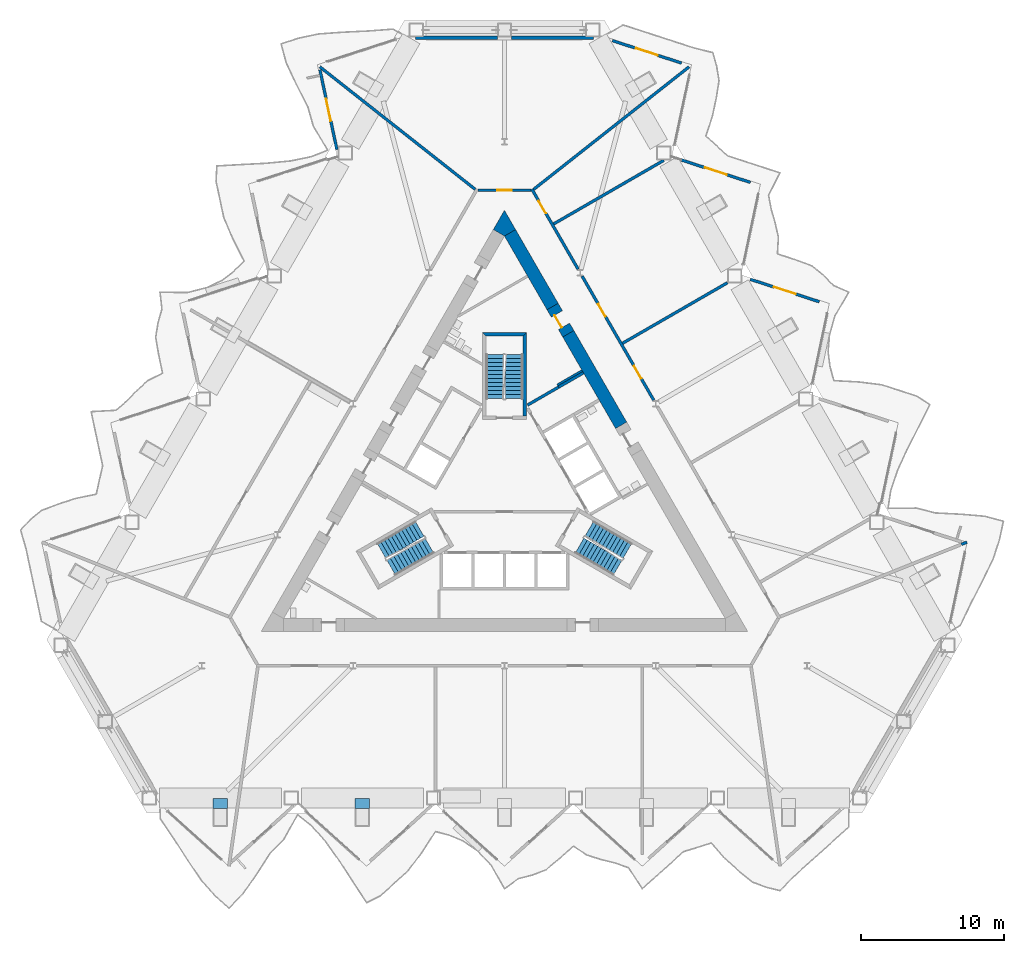
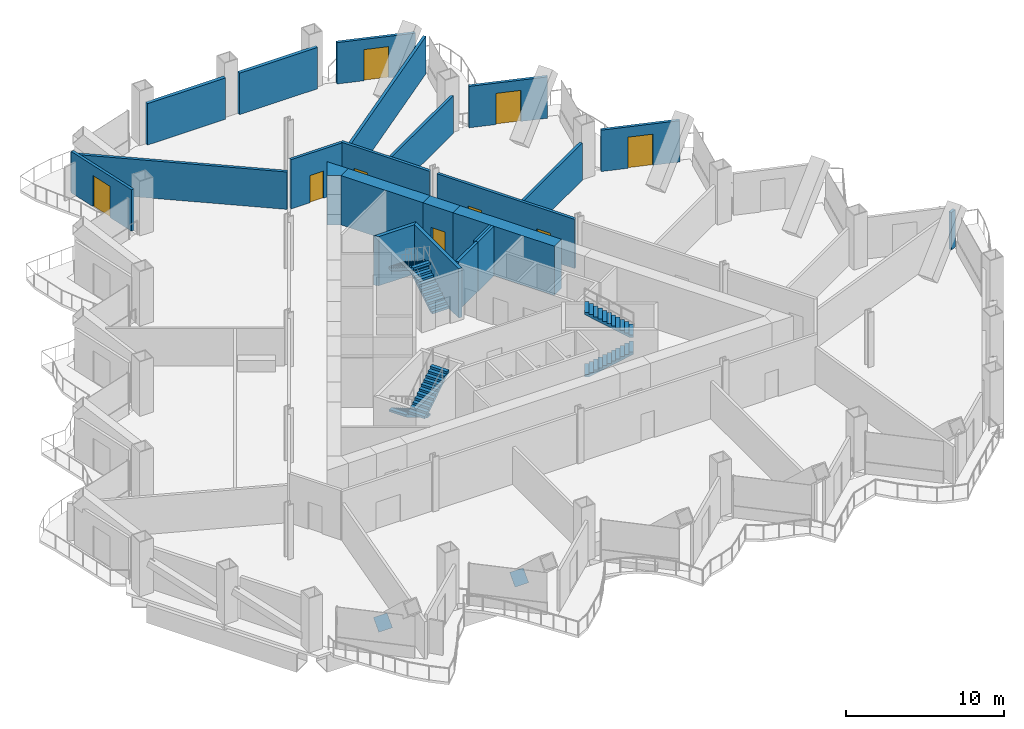
# One storey, part 12 of 22: 23 walls, 9 doors, 6 stair flights, 2 discrete accessories, 9 openings, 3 elements without a shape of their own.
"""IFC4 building model written with IfcOpenShell, lengths in metres."""

from ifc_helpers import new_model, si_unit, direction, frame, frame_2d, origin, place, context, subcontext, project, spatial, polyline, rectangle, outline, extrude, material, layer, layer_set, type_object, element, fill, aggregate, save


model = new_model("IFC4")

# Units and contexts
model_context = context("Model", 3, precision=1e-05, world=origin(), true_north=direction((0.0, 1.0)))
body_context = subcontext(model_context, "Body", "Model", "MODEL_VIEW")
ifc_project = project(units=[si_unit("LENGTHUNIT", "METRE"), si_unit("AREAUNIT", "SQUARE_METRE"), si_unit("VOLUMEUNIT", "CUBIC_METRE"), si_unit("PLANEANGLEUNIT", "RADIAN"), si_unit("MASSUNIT", "GRAM", prefix="KILO")], contexts=[model_context])

# Site, building, storey
site_placement = place(None, origin())
site = spatial("IfcSite", under=ifc_project, at=site_placement, CompositionType="ELEMENT")
building_placement = place(site_placement, origin())
building = spatial("IfcBuilding", under=site, at=building_placement, Name="Cormorant Prow Tower", CompositionType="ELEMENT")
storey_placement = place(building_placement, frame((0.0, 0.0, 30.0)))
storey = spatial("IfcBuildingStorey", under=building, at=storey_placement, Name="L05", CompositionType="ELEMENT", Elevation=30.0)

# Walls
ifc_material_1 = material(Name="Gypsum board partition")
ifc_layer_1 = layer(ifc_material_1, 0.14990234375)
ifc_layer_set_1 = layer_set([ifc_layer_1], Name="Gypsum board partition")
wall_type_1 = type_object("IfcWallType", Name="Core partition 150", PredefinedType="PARTITIONING", material=ifc_layer_set_1)
wall_1_placement = place(storey_placement, frame((3.693359375, 7.4150390625, 0.0), z_axis=(0.0, 0.0, 1.0), x_axis=(0.866035824272, 0.499981950752, 0.0)))
element("IfcWall", 1, at=wall_1_placement, inside=storey, type_object=wall_type_1, Name="Service room partition", PredefinedType="PARTITIONING", context=body_context, shape_type="SweptSolid", body=[
    extrude(rectangle(XDim=2.0087890625, YDim=0.14990234375, at=frame_2d((1.00439453125, 0.0))), origin(), (0.0, 0.0, 1.0), 3.800048828125),
])
ifc_material_2 = material(Name="Concrete 8000 psi", Category="concrete")
ifc_layer_2 = layer(ifc_material_2, 0.89990234375)
ifc_layer_set_2 = layer_set([ifc_layer_2], Name="Concrete 8000 psi")
wall_type_2 = type_object("IfcWallType", Name="Core shear wall 900", PredefinedType="SHEAR", material=ifc_layer_set_2)
wall_2_placement = place(storey_placement, frame((8.160400390625, 4.595947265625, 0.0), z_axis=(0.0, 0.0, 1.0), x_axis=(-0.500012259336, 0.866018325738, 0.0)))
element("IfcWall", 2, at=wall_2_placement, inside=storey, type_object=wall_type_2, Name="Core wall", PredefinedType="SHEAR", context=body_context, shape_type="SweptSolid", body=[
    extrude(rectangle(XDim=7.389404296875, YDim=0.89990234375, at=frame_2d((3.69482421875, 0.0))), origin(), (0.0, 0.0, 1.0), 3.800048828125),
])
wall_3_placement = place(storey_placement, frame((3.365478515625, 12.900390625, 0.0), z_axis=(0.0, 0.0, 1.0), x_axis=(-0.499981657175, 0.86603599376, 0.0)))
element("IfcWall", 3, at=wall_3_placement, inside=storey, type_object=wall_type_2, Name="Core wall", PredefinedType="SHEAR", context=body_context, shape_type="SweptSolid", body=[
    extrude(rectangle(XDim=5.951904296875, YDim=0.89990234375, at=frame_2d((2.97607421875, 0.0))), origin(), (0.0, 0.0, 1.0), 3.800048828125),
])
wall_4_placement = place(storey_placement, origin())
element("IfcWall", 4, at=wall_4_placement, inside=storey, type_object=wall_type_2, Name="Core wall corner", PredefinedType="SHEAR", context=body_context, shape_type="SweptSolid", body=[
    extrude(outline(polyline([(-0.779296875, 18.27978515625), (0.0, 19.6298828125), (0.779296875, 18.27978515625), (0.0, 17.829833984375), (-0.779296875, 18.27978515625)])), origin(), (0.0, 0.0, 1.0), 3.800048828125),
])

# Wall, opening, door
wall_5_placement = place(storey_placement, frame((4.465576171875, 10.995361328125, 0.0), z_axis=(0.0, 0.0, 1.0), x_axis=(-0.500077893725, 0.86598042715, 0.0)))
wall_5 = element("IfcWall", 5, at=wall_5_placement, inside=storey, type_object=wall_type_2, Name="Core wall door panel", PredefinedType="SHEAR", context=body_context, shape_type="SweptSolid", body=[
    extrude(rectangle(XDim=2.199951171875, YDim=0.89990234375, at=frame_2d((1.10009765625, 0.0))), origin(), (0.0, 0.0, 1.0), 3.800048828125),
])
opening_1_placement = place(wall_5_placement, frame((0.60009765625, 0.0, 0.0)))
opening_1 = element("IfcOpeningElement", 6, at=opening_1_placement, cuts=wall_5, Name="Opening L05-C20", PredefinedType="OPENING", context=body_context, shape_type="SweptSolid", body=[
    extrude(rectangle(XDim=1.0, YDim=2.10009765625, at=frame_2d((0.5, 1.050048828125))), frame((0.0, 0.4599609375, 0.0), z_axis=(0.0, -1.0, 0.0), x_axis=(1.0, 0.0, 0.0)), (0.0, 0.0, 1.0), 0.919921875),
])
ifc_material_3 = material(Name="Painted steel", Category="steel")
door_type_1 = type_object("IfcDoorType", Name="Service door 1000x2100", OperationType="NOTDEFINED", PredefinedType="DOOR", material=ifc_material_3)
door_1_placement = place(opening_1_placement, origin())
door_1 = element("IfcDoor", 7, at=door_1_placement, inside=storey, type_object=door_type_1, Name="Core door, Toilets (women) L05", OperationType="SINGLE_SWING_RIGHT", OverallHeight=2.10009765625, OverallWidth=1.0, PredefinedType="DOOR", context=body_context, shape_type="SweptSolid", body=[
    extrude(rectangle(XDim=1.0, YDim=2.10009765625, at=frame_2d((0.5, 1.050048828125))), frame((0.0, 0.205078125, 0.0), z_axis=(0.0, -1.0, 0.0), x_axis=(1.0, 0.0, 0.0)), (0.0, 0.0, 1.0), 0.050048828125),
])
fill(opening_1, door_1)

# Wall, openings, doors
ifc_material_4 = material(Name="Gypsum board corridor wall")
ifc_layer_3 = layer(ifc_material_4, 0.199951171875)
ifc_layer_set_3 = layer_set([ifc_layer_3], Name="Gypsum board corridor wall")
wall_type_3 = type_object("IfcWallType", Name="Corridor wall 200", PredefinedType="PARTITIONING", material=ifc_layer_set_3)
wall_6_placement = place(storey_placement, frame((5.42919921875, 15.0263671875, 0.0), z_axis=(0.0, 0.0, 1.0), x_axis=(0.50001002959, -0.86601961312, 0.0)))
wall_6 = element("IfcWall", 8, at=wall_6_placement, inside=storey, type_object=wall_type_3, Name="Corridor wall", PredefinedType="PARTITIONING", context=body_context, shape_type="SweptSolid", body=[
    extrude(rectangle(XDim=10.018798828125, YDim=0.199951171875, at=frame_2d((5.00927734375, 0.0))), origin(), (0.0, 0.0, 1.0), 3.800048828125),
])
opening_2_placement = place(wall_6_placement, frame((7.265625, 0.0, 0.0)))
opening_2 = element("IfcOpeningElement", 9, at=opening_2_placement, cuts=wall_6, Name="Opening L05-F07", PredefinedType="OPENING", context=body_context, shape_type="SweptSolid", body=[
    extrude(rectangle(XDim=1.0, YDim=2.10009765625, at=frame_2d((0.5, 1.050048828125))), frame((0.0, 0.10986328125, 0.0), z_axis=(0.0, -1.0, 0.0), x_axis=(1.0, 0.0, 0.0)), (0.0, 0.0, 1.0), 0.219970703125),
])
opening_3_placement = place(wall_6_placement, frame((2.25439453125, 0.0, 0.0)))
opening_3 = element("IfcOpeningElement", 10, at=opening_3_placement, cuts=wall_6, Name="Opening L05-F08", PredefinedType="OPENING", context=body_context, shape_type="SweptSolid", body=[
    extrude(rectangle(XDim=1.0, YDim=2.10009765625, at=frame_2d((0.5, 1.050048828125))), frame((0.0, 0.10986328125, 0.0), z_axis=(0.0, -1.0, 0.0), x_axis=(1.0, 0.0, 0.0)), (0.0, 0.0, 1.0), 0.219970703125),
])
ifc_material_5 = material(Name="Timber door leaf", Category="wood")
door_type_2 = type_object("IfcDoorType", Name="Office door 1000x2100", OperationType="NOTDEFINED", PredefinedType="DOOR", material=ifc_material_5)
door_2_placement = place(opening_2_placement, origin())
door_2 = element("IfcDoor", 11, at=door_2_placement, inside=storey, type_object=door_type_2, Name="Open-plan office door", OperationType="SINGLE_SWING_RIGHT", OverallHeight=2.10009765625, OverallWidth=1.0, PredefinedType="DOOR", context=body_context, shape_type="SweptSolid", body=[
    extrude(rectangle(XDim=1.0, YDim=2.10009765625, at=frame_2d((0.5, 1.050048828125))), frame((0.0, 0.02490234375, 0.0), z_axis=(0.0, -1.0, 0.0), x_axis=(1.0, 0.0, 0.0)), (0.0, 0.0, 1.0), 0.050048828125),
])
fill(opening_2, door_2)
door_3_placement = place(opening_3_placement, origin())
door_3 = element("IfcDoor", 12, at=door_3_placement, inside=storey, type_object=door_type_2, Name="Tenant suite door", OperationType="SINGLE_SWING_LEFT", OverallHeight=2.10009765625, OverallWidth=1.0, PredefinedType="DOOR", context=body_context, shape_type="SweptSolid", body=[
    extrude(rectangle(XDim=1.0, YDim=2.10009765625, at=frame_2d((0.5, 1.050048828125))), frame((0.0, 0.02490234375, 0.0), z_axis=(0.0, -1.0, 0.0), x_axis=(1.0, 0.0, 0.0)), (0.0, 0.0, 1.0), 0.050048828125),
])
fill(opening_3, door_3)

# Wall, opening, door
wall_7_placement = place(storey_placement, frame((1.9130859375, 21.116455078125, 0.0), z_axis=(0.0, 0.0, 1.0), x_axis=(0.500001069878, -0.866024786089, 0.0)))
wall_7 = element("IfcWall", 13, at=wall_7_placement, inside=storey, type_object=wall_type_3, Name="Corridor wall", PredefinedType="PARTITIONING", context=body_context, shape_type="SweptSolid", body=[
    extrude(rectangle(XDim=6.47265625, YDim=0.199951171875, at=frame_2d((3.236328125, 0.0))), origin(), (0.0, 0.0, 1.0), 3.800048828125),
])
opening_4_placement = place(wall_7_placement, frame((0.96044921875, 0.0, 0.0)))
opening_4 = element("IfcOpeningElement", 14, at=opening_4_placement, cuts=wall_7, Name="Opening L05-F09", PredefinedType="OPENING", context=body_context, shape_type="SweptSolid", body=[
    extrude(rectangle(XDim=1.0, YDim=2.10009765625, at=frame_2d((0.5, 1.050048828125))), frame((0.0, 0.10986328125, 0.0), z_axis=(0.0, -1.0, 0.0), x_axis=(1.0, 0.0, 0.0)), (0.0, 0.0, 1.0), 0.219970703125),
])
door_4_placement = place(opening_4_placement, origin())
door_4 = element("IfcDoor", 15, at=door_4_placement, inside=storey, type_object=door_type_2, Name="Private office door", OperationType="SINGLE_SWING_LEFT", OverallHeight=2.10009765625, OverallWidth=1.0, PredefinedType="DOOR", context=body_context, shape_type="SweptSolid", body=[
    extrude(rectangle(XDim=1.0, YDim=2.10009765625, at=frame_2d((0.5, 1.050048828125))), frame((0.0, 0.02490234375, 0.0), z_axis=(0.0, -1.0, 0.0), x_axis=(1.0, 0.0, 0.0)), (0.0, 0.0, 1.0), 0.050048828125),
])
fill(opening_4, door_4)

wall_8_placement = place(storey_placement, frame((-1.863037109375, 21.02978515625, 0.0), z_axis=(0.0, 0.0, 1.0), x_axis=(1.0, 0.0, 0.0)))
wall_8 = element("IfcWall", 16, at=wall_8_placement, inside=storey, type_object=wall_type_3, Name="Corridor wall", PredefinedType="PARTITIONING", context=body_context, shape_type="SweptSolid", body=[
    extrude(rectangle(XDim=3.72607421875, YDim=0.199951171875, at=frame_2d((1.863037109375, 0.0))), origin(), (0.0, 0.0, 1.0), 3.800048828125),
])
opening_5_placement = place(wall_8_placement, frame((1.363037109375, 0.0, 0.0)))
opening_5 = element("IfcOpeningElement", 17, at=opening_5_placement, cuts=wall_8, Name="Opening L05-F10", PredefinedType="OPENING", context=body_context, shape_type="SweptSolid", body=[
    extrude(rectangle(XDim=1.0, YDim=2.10009765625, at=frame_2d((0.5, 1.050048828125))), frame((0.0, 0.10986328125, 0.0), z_axis=(0.0, -1.0, 0.0), x_axis=(1.0, 0.0, 0.0)), (0.0, 0.0, 1.0), 0.219970703125),
])
door_5_placement = place(opening_5_placement, origin())
door_5 = element("IfcDoor", 18, at=door_5_placement, inside=storey, type_object=door_type_2, Name="Tenant suite door", OperationType="SINGLE_SWING_RIGHT", OverallHeight=2.10009765625, OverallWidth=1.0, PredefinedType="DOOR", context=body_context, shape_type="SweptSolid", body=[
    extrude(rectangle(XDim=1.0, YDim=2.10009765625, at=frame_2d((0.5, 1.050048828125))), frame((0.0, 0.02490234375, 0.0), z_axis=(0.0, -1.0, 0.0), x_axis=(1.0, 0.0, 0.0)), (0.0, 0.0, 1.0), 0.050048828125),
])
fill(opening_5, door_5)

# Walls
ifc_material_6 = material(Name="Gypsum board demising wall")
ifc_layer_4 = layer(ifc_material_6, 0.199951171875)
ifc_layer_set_4 = layer_set([ifc_layer_4], Name="Gypsum board demising wall")
wall_type_4 = type_object("IfcWallType", Name="Demising wall 200", PredefinedType="PARTITIONING", material=ifc_layer_set_4)
for number, where, z_axis, x_axis, name in (
    (19, (-12.90771484375, 29.65869140625, 0.0), (0.0, 0.0, 1.0), (0.78529358076, -0.619123567648, 0.0), "Demising wall"),
    (20, (2.04150390625, 21.091796875, 0.0), (0.0, 0.0, 1.0), (0.78529358076, 0.619123567648, 0.0), "Demising wall"),
):
    element("IfcWall", number, at=place(storey_placement, frame(where, z_axis=z_axis, x_axis=x_axis)), inside=storey, type_object=wall_type_4, Name=name, PredefinedType="PARTITIONING", context=body_context, shape_type="SweptSolid", body=[
        extrude(rectangle(XDim=13.837158203125, YDim=0.199951171875, at=frame_2d((6.91845703125, 0.0))), origin(), (0.0, 0.0, 1.0), 2.88525390625),
    ])
wall_9_placement = place(storey_placement, frame((3.438720703125, 18.673828125, 0.0), z_axis=(0.0, 0.0, 1.0), x_axis=(0.866020616849, 0.500008291124, 0.0)))
element("IfcWall", 21, at=wall_9_placement, inside=storey, type_object=wall_type_4, Name="Demising wall", PredefinedType="PARTITIONING", context=body_context, shape_type="SweptSolid", body=[
    extrude(rectangle(XDim=8.896728515625, YDim=0.199951171875, at=frame_2d((4.4482421875, 0.0))), origin(), (0.0, 0.0, 1.0), 2.88525390625),
])
wall_10_placement = place(storey_placement, frame((8.25634765625, 10.32958984375, 0.0), z_axis=(0.0, 0.0, 1.0), x_axis=(0.866026229868, 0.499998569178, 0.0)))
element("IfcWall", 22, at=wall_10_placement, inside=storey, type_object=wall_type_4, Name="Demising wall", PredefinedType="PARTITIONING", context=body_context, shape_type="SweptSolid", body=[
    extrude(rectangle(XDim=8.47021484375, YDim=0.199951171875, at=frame_2d((4.235107421875, 0.0))), origin(), (0.0, 0.0, 1.0), 2.88525390625),
])
wall_11_placement = place(storey_placement, frame((31.947509765625, -3.727294921875, 0.0), z_axis=(0.0, 0.0, 1.0), x_axis=(0.928757356094, 0.370688243003, 0.0)))
element("IfcWall", 23, at=wall_11_placement, inside=storey, type_object=wall_type_4, Name="Demising wall", PredefinedType="PARTITIONING", context=body_context, shape_type="SweptSolid", body=[
    extrude(rectangle(XDim=0.41943359375, YDim=0.199951171875, at=frame_2d((0.209716796875, 0.0))), origin(), (0.0, 0.0, 1.0), 2.88525390625),
])
ifc_material_7 = material(Name="Concrete 8000 psi", Category="concrete")
ifc_layer_5 = layer(ifc_material_7, 0.199951171875)
ifc_layer_set_5 = layer_set([ifc_layer_5], Name="Concrete 8000 psi")
wall_type_5 = type_object("IfcWallType", Name="Lift shaft wall 200", PredefinedType="SHEAR", material=ifc_layer_set_5)
wall_12_placement = place(storey_placement, origin())
element("IfcWall", 24, at=wall_12_placement, inside=storey, type_object=wall_type_5, Name="Lift shaft walls, ENE block", PredefinedType="SHEAR", context=body_context, shape_type="SweptSolid", body=[
    extrude(outline(polyline([(1.560546875, 6.09716796875), (3.730712890625, 7.35009765625), (3.830810546875, 7.177001953125), (1.660400390625, 5.923828125), (1.560546875, 6.09716796875)])), origin(), (0.0, 0.0, 1.0), 3.800048828125),
])
wall_13_placement = place(storey_placement, frame((3.78076171875, 7.263427734375, 0.0), z_axis=(0.0, 0.0, 1.0), x_axis=(0.865983199114, 0.50007309351, 0.0)))
element("IfcWall", 25, at=wall_13_placement, inside=storey, type_object=wall_type_5, Name="Store side wall", PredefinedType="SHEAR", context=body_context, shape_type="SweptSolid", body=[
    extrude(rectangle(XDim=2.009033203125, YDim=0.199951171875, at=frame_2d((1.00439453125, 0.0))), origin(), (0.0, 0.0, 1.0), 3.800048828125),
])
ifc_material_8 = material(Name="Concrete 8000 psi", Category="concrete")
ifc_layer_6 = layer(ifc_material_8, 0.25)
ifc_layer_set_6 = layer_set([ifc_layer_6], Name="Concrete 8000 psi")
wall_type_6 = type_object("IfcWallType", Name="Stair wall 250", PredefinedType="SHEAR", material=ifc_layer_set_6)
wall_14_placement = place(storey_placement, origin())
element("IfcWall", 26, at=wall_14_placement, inside=storey, type_object=wall_type_6, Name="Stair ST3 enclosure wall (flank)", PredefinedType="SHEAR", context=body_context, shape_type="SweptSolid", body=[
    extrude(outline(polyline([(1.5439453125, 5.23681640625), (1.5439453125, 11.0869140625), (1.2939453125, 10.8369140625), (1.2939453125, 5.23681640625), (1.5439453125, 5.23681640625)])), origin(), (0.0, 0.0, 1.0), 3.800048828125),
])
wall_15_placement = place(storey_placement, origin())
element("IfcWall", 27, at=wall_15_placement, inside=storey, type_object=wall_type_6, Name="Stair ST3 enclosure wall (end)", PredefinedType="SHEAR", context=body_context, shape_type="SweptSolid", body=[
    extrude(outline(polyline([(1.5439453125, 11.0869140625), (-1.5439453125, 11.0869140625), (-1.2939453125, 10.8369140625), (1.2939453125, 10.8369140625), (1.5439453125, 11.0869140625)])), origin(), (0.0, 0.0, 1.0), 3.800048828125),
])
ifc_material_9 = material(Name="Terracotta", Category="masonry")
ifc_layer_7 = layer(ifc_material_9, 0.25)
ifc_layer_set_7 = layer_set([ifc_layer_7], Name="Terracotta")
wall_type_7 = type_object("IfcWallType", Name="Terracotta bay wall 250", PredefinedType="SOLIDWALL", material=ifc_layer_set_7)
for number, where, z_axis, x_axis, name in (
    (28, (6.209228515625, 31.679931640625, 0.0), (0.0, 0.0, 1.0), (-1.0, 0.0, 0.0), "Terracotta bay wall N00"),
    (29, (-0.5, 31.679931640625, 0.0), (0.0, 0.0, 1.0), (-1.0, 0.0, 0.0), "Terracotta bay wall N01"),
):
    element("IfcWall", number, at=place(storey_placement, frame(where, z_axis=z_axis, x_axis=x_axis)), inside=storey, type_object=wall_type_7, Name=name, PredefinedType="SOLIDWALL", context=body_context, shape_type="SweptSolid", body=[
        extrude(rectangle(XDim=5.709228515625, YDim=0.25, at=frame_2d((2.8544921875, 0.0))), origin(), (0.0, 0.0, 1.0), 3.18896484375),
    ])

# Wall, opening, door
ifc_material_10 = material(Name="Terracotta", Category="masonry")
ifc_layer_8 = layer(ifc_material_10, 0.199951171875)
ifc_layer_set_8 = layer_set([ifc_layer_8], Name="Terracotta")
wall_type_8 = type_object("IfcWallType", Name="Terracotta jamb wall 200", PredefinedType="SOLIDWALL", material=ifc_layer_set_8)
wall_16_placement = place(storey_placement, frame((22.01318359375, 13.2353515625, 0.0), z_axis=(0.0, 0.0, 1.0), x_axis=(-0.951051031059, 0.309033875687, 0.0)))
wall_16 = element("IfcWall", 30, at=wall_16_placement, inside=storey, type_object=wall_type_8, Name="Terracotta jamb wall ENE05", PredefinedType="SOLIDWALL", context=body_context, shape_type="SweptSolid", body=[
    extrude(rectangle(XDim=5.07666015625, YDim=0.199951171875, at=frame_2d((2.538330078125, 0.0))), origin(), (0.0, 0.0, 1.0), 3.18896484375),
])
opening_6_placement = place(wall_16_placement, frame((1.73828125, 0.0, 0.0)))
opening_6 = element("IfcOpeningElement", 31, at=opening_6_placement, cuts=wall_16, Name="Opening ED05.08", PredefinedType="OPENING", context=body_context, shape_type="SweptSolid", body=[
    extrude(rectangle(XDim=1.60009765625, YDim=2.39990234375, at=frame_2d((0.800048828125, 1.199951171875))), frame((0.0, 0.10986328125, 0.0), z_axis=(0.0, -1.0, 0.0), x_axis=(1.0, 0.0, 0.0)), (0.0, 0.0, 1.0), 0.219970703125),
])
ifc_material_11 = material(Name="Aluminium 6063-T6", Category="aluminium")
door_type_3 = type_object("IfcDoorType", Name="Balcony door 1600x2400", OperationType="DOUBLE_DOOR_SINGLE_SWING", PredefinedType="DOOR", material=ifc_material_11)
door_6_placement = place(opening_6_placement, origin())
door_6 = element("IfcDoor", 32, at=door_6_placement, inside=storey, type_object=door_type_3, Name="Balcony door ENE05 ED05.08", OperationType="DOUBLE_DOOR_SINGLE_SWING", OverallHeight=2.39990234375, OverallWidth=1.60009765625, PredefinedType="DOOR", context=body_context, shape_type="SweptSolid", body=[
    extrude(rectangle(XDim=1.60009765625, YDim=2.39990234375, at=frame_2d((0.800048828125, 1.199951171875))), frame((0.0, 0.02490234375, 0.0), z_axis=(0.0, -1.0, 0.0), x_axis=(1.0, 0.0, 0.0)), (0.0, 0.0, 1.0), 0.050048828125),
])
fill(opening_6, door_6)

wall_17_placement = place(storey_placement, frame((17.195556640625, 21.57958984375, 0.0), z_axis=(0.0, 0.0, 1.0), x_axis=(-0.951051031059, 0.309033875687, 0.0)))
wall_17 = element("IfcWall", 33, at=wall_17_placement, inside=storey, type_object=wall_type_8, Name="Terracotta jamb wall ENE07", PredefinedType="SOLIDWALL", context=body_context, shape_type="SweptSolid", body=[
    extrude(rectangle(XDim=5.07666015625, YDim=0.199951171875, at=frame_2d((2.538330078125, 0.0))), origin(), (0.0, 0.0, 1.0), 3.18896484375),
])
opening_7_placement = place(wall_17_placement, frame((1.73828125, 0.0, 0.0)))
opening_7 = element("IfcOpeningElement", 34, at=opening_7_placement, cuts=wall_17, Name="Opening ED05.09", PredefinedType="OPENING", context=body_context, shape_type="SweptSolid", body=[
    extrude(rectangle(XDim=1.60009765625, YDim=2.39990234375, at=frame_2d((0.800048828125, 1.199951171875))), frame((0.0, 0.10986328125, 0.0), z_axis=(0.0, -1.0, 0.0), x_axis=(1.0, 0.0, 0.0)), (0.0, 0.0, 1.0), 0.219970703125),
])
door_7_placement = place(opening_7_placement, origin())
door_7 = element("IfcDoor", 35, at=door_7_placement, inside=storey, type_object=door_type_3, Name="Balcony door ENE07 ED05.09", OperationType="DOUBLE_DOOR_SINGLE_SWING", OverallHeight=2.39990234375, OverallWidth=1.60009765625, PredefinedType="DOOR", context=body_context, shape_type="SweptSolid", body=[
    extrude(rectangle(XDim=1.60009765625, YDim=2.39990234375, at=frame_2d((0.800048828125, 1.199951171875))), frame((0.0, 0.02490234375, 0.0), z_axis=(0.0, -1.0, 0.0), x_axis=(1.0, 0.0, 0.0)), (0.0, 0.0, 1.0), 0.050048828125),
])
fill(opening_7, door_7)

wall_18_placement = place(storey_placement, frame((12.378173828125, 29.923828125, 0.0), z_axis=(0.0, 0.0, 1.0), x_axis=(-0.951055623544, 0.309019741968, 0.0)))
wall_18 = element("IfcWall", 36, at=wall_18_placement, inside=storey, type_object=wall_type_8, Name="Terracotta jamb wall ENE09", PredefinedType="SOLIDWALL", context=body_context, shape_type="SweptSolid", body=[
    extrude(rectangle(XDim=5.076904296875, YDim=0.199951171875, at=frame_2d((2.53857421875, 0.0))), origin(), (0.0, 0.0, 1.0), 3.18896484375),
])
opening_8_placement = place(wall_18_placement, frame((1.73828125, 0.0, 0.0)))
opening_8 = element("IfcOpeningElement", 37, at=opening_8_placement, cuts=wall_18, Name="Opening ED05.10", PredefinedType="OPENING", context=body_context, shape_type="SweptSolid", body=[
    extrude(rectangle(XDim=1.60009765625, YDim=2.39990234375, at=frame_2d((0.800048828125, 1.199951171875))), frame((0.0, 0.10986328125, 0.0), z_axis=(0.0, -1.0, 0.0), x_axis=(1.0, 0.0, 0.0)), (0.0, 0.0, 1.0), 0.219970703125),
])
door_8_placement = place(opening_8_placement, origin())
door_8 = element("IfcDoor", 38, at=door_8_placement, inside=storey, type_object=door_type_3, Name="Balcony door ENE09 ED05.10", OperationType="DOUBLE_DOOR_SINGLE_SWING", OverallHeight=2.39990234375, OverallWidth=1.60009765625, PredefinedType="DOOR", context=body_context, shape_type="SweptSolid", body=[
    extrude(rectangle(XDim=1.60009765625, YDim=2.39990234375, at=frame_2d((0.800048828125, 1.199951171875))), frame((0.0, 0.02490234375, 0.0), z_axis=(0.0, -1.0, 0.0), x_axis=(1.0, 0.0, 0.0)), (0.0, 0.0, 1.0), 0.050048828125),
])
fill(opening_8, door_8)

wall_19_placement = place(storey_placement, frame((-12.89990234375, 29.44677734375, 0.0), z_axis=(0.0, 0.0, 1.0), x_axis=(0.207929909881, -0.978143727975, 0.0)))
wall_19 = element("IfcWall", 39, at=wall_19_placement, inside=storey, type_object=wall_type_8, Name="Terracotta jamb wall WNW01", PredefinedType="SOLIDWALL", context=body_context, shape_type="SweptSolid", body=[
    extrude(rectangle(XDim=5.7041015625, YDim=0.199951171875, at=frame_2d((2.85205078125, 0.0))), origin(), (0.0, 0.0, 1.0), 3.18896484375),
])
opening_9_placement = place(wall_19_placement, frame((2.057373046875, 0.0, 0.0)))
opening_9 = element("IfcOpeningElement", 40, at=opening_9_placement, cuts=wall_19, Name="Opening ED05.11", PredefinedType="OPENING", context=body_context, shape_type="SweptSolid", body=[
    extrude(rectangle(XDim=1.60009765625, YDim=2.39990234375, at=frame_2d((0.800048828125, 1.199951171875))), frame((0.0, 0.10986328125, 0.0), z_axis=(0.0, -1.0, 0.0), x_axis=(1.0, 0.0, 0.0)), (0.0, 0.0, 1.0), 0.219970703125),
])
door_9_placement = place(opening_9_placement, origin())
door_9 = element("IfcDoor", 41, at=door_9_placement, inside=storey, type_object=door_type_3, Name="Balcony door WNW01 ED05.11", OperationType="DOUBLE_DOOR_SINGLE_SWING", OverallHeight=2.39990234375, OverallWidth=1.60009765625, PredefinedType="DOOR", context=body_context, shape_type="SweptSolid", body=[
    extrude(rectangle(XDim=1.60009765625, YDim=2.39990234375, at=frame_2d((0.800048828125, 1.199951171875))), frame((0.0, 0.02490234375, 0.0), z_axis=(0.0, -1.0, 0.0), x_axis=(1.0, 0.0, 0.0)), (0.0, 0.0, 1.0), 0.050048828125),
])
fill(opening_9, door_9)

# Stair, stair flights
ifc_material_12 = material(Name="Exit stair 24 risers")
stair_type = type_object("IfcStairType", Name="Exit stair 24 risers", PredefinedType="HALF_TURN_STAIR", material=ifc_material_12)
stair_1_placement = place(storey_placement, origin())
stair_1 = element("IfcStair", 42, at=stair_1_placement, inside=storey, type_object=stair_type, Name="L05 Exit stair ST1", PredefinedType="HALF_TURN_STAIR")
ifc_material_13 = material(Name="Concrete 5000 psi", Category="concrete")
stair_flight_type = type_object("IfcStairFlightType", Name="Stair flight 1219", PredefinedType="STRAIGHT", material=ifc_material_13)
stair_flight_1_placement = place(storey_placement, frame((-5.93310546875, -2.635009765625, 0.0), z_axis=(0.0, 0.0, 1.0), x_axis=(-0.866025403784, -0.5, 0.0)))
stair_flight_1 = element("IfcStairFlight", 43, at=stair_flight_1_placement, type_object=stair_flight_type, Name="ST1 flight 1", NumberOfRisers=12, NumberOfTreads=11, PredefinedType="STRAIGHT", RiserHeight=0.175, TreadLength=0.28, context=body_context, shape_type="SweptSolid", body=[
    extrude(outline(polyline([(0.0, 0.0), (0.0, 0.175048828125), (0.280029296875, 0.175048828125), (0.280029296875, 0.35009765625), (0.56005859375, 0.35009765625), (0.56005859375, 0.52490234375), (0.840087890625, 0.52490234375), (0.840087890625, 0.699951171875), (1.1201171875, 0.699951171875), (1.1201171875, 0.875), (1.39990234375, 0.875), (1.39990234375, 1.050048828125), (1.679931640625, 1.050048828125), (1.679931640625, 1.22509765625), (1.9599609375, 1.22509765625), (1.9599609375, 1.39990234375), (2.239990234375, 1.39990234375), (2.239990234375, 1.574951171875), (2.52001953125, 1.574951171875), (2.52001953125, 1.75), (2.800048828125, 1.75), (2.800048828125, 1.925048828125), (3.080078125, 1.925048828125), (3.080078125, 2.10009765625), (3.080078125, 1.748291015625), (0.28271484375, 0.0), (0.0, 0.0)])), frame((0.0, 0.609375, 0.0), z_axis=(0.0, -1.0, 0.0), x_axis=(1.0, 0.0, 0.0)), (0.0, 0.0, 1.0), 1.218994140625),
])
stair_flight_2_placement = place(storey_placement, frame((-7.916015625, -5.360595703125, 2.10009765625), z_axis=(0.0, 0.0, 1.0), x_axis=(0.866025403784, 0.5, 0.0)))
stair_flight_2 = element("IfcStairFlight", 44, at=stair_flight_2_placement, type_object=stair_flight_type, Name="ST1 flight 2", NumberOfRisers=12, NumberOfTreads=11, PredefinedType="STRAIGHT", RiserHeight=0.175, TreadLength=0.28, context=body_context, shape_type="SweptSolid", body=[
    extrude(outline(polyline([(0.0, 0.0), (0.0, 0.175048828125), (0.280029296875, 0.175048828125), (0.280029296875, 0.35009765625), (0.56005859375, 0.35009765625), (0.56005859375, 0.52490234375), (0.840087890625, 0.52490234375), (0.840087890625, 0.699951171875), (1.1201171875, 0.699951171875), (1.1201171875, 0.875), (1.39990234375, 0.875), (1.39990234375, 1.050048828125), (1.679931640625, 1.050048828125), (1.679931640625, 1.22509765625), (1.9599609375, 1.22509765625), (1.9599609375, 1.39990234375), (2.239990234375, 1.39990234375), (2.239990234375, 1.574951171875), (2.52001953125, 1.574951171875), (2.52001953125, 1.75), (2.800048828125, 1.75), (2.800048828125, 1.925048828125), (3.080078125, 1.925048828125), (3.080078125, 2.10009765625), (3.080078125, 1.748291015625), (0.28271484375, 0.0), (0.0, 0.0)])), frame((0.0, 0.609375, 0.0), z_axis=(0.0, -1.0, 0.0), x_axis=(1.0, 0.0, 0.0)), (0.0, 0.0, 1.0), 1.218994140625),
])
aggregate(stair_1, [stair_flight_1, stair_flight_2])

stair_2_placement = place(storey_placement, origin())
stair_2 = element("IfcStair", 45, at=stair_2_placement, inside=storey, type_object=stair_type, Name="L05 Exit stair ST2", PredefinedType="HALF_TURN_STAIR")
stair_flight_3_placement = place(storey_placement, frame((5.24853515625, -3.82080078125, 0.0), z_axis=(0.0, 0.0, 1.0), x_axis=(0.866025403784, -0.5, 0.0)))
stair_flight_3 = element("IfcStairFlight", 46, at=stair_flight_3_placement, type_object=stair_flight_type, Name="ST2 flight 1", NumberOfRisers=12, NumberOfTreads=11, PredefinedType="STRAIGHT", RiserHeight=0.175, TreadLength=0.28, context=body_context, shape_type="SweptSolid", body=[
    extrude(outline(polyline([(0.0, 0.0), (0.0, 0.175048828125), (0.280029296875, 0.175048828125), (0.280029296875, 0.35009765625), (0.56005859375, 0.35009765625), (0.56005859375, 0.52490234375), (0.840087890625, 0.52490234375), (0.840087890625, 0.699951171875), (1.1201171875, 0.699951171875), (1.1201171875, 0.875), (1.39990234375, 0.875), (1.39990234375, 1.050048828125), (1.679931640625, 1.050048828125), (1.679931640625, 1.22509765625), (1.9599609375, 1.22509765625), (1.9599609375, 1.39990234375), (2.239990234375, 1.39990234375), (2.239990234375, 1.574951171875), (2.52001953125, 1.574951171875), (2.52001953125, 1.75), (2.800048828125, 1.75), (2.800048828125, 1.925048828125), (3.080078125, 1.925048828125), (3.080078125, 2.10009765625), (3.080078125, 1.748291015625), (0.28271484375, 0.0), (0.0, 0.0)])), frame((0.0, 0.609375, 0.0), z_axis=(0.0, -1.0, 0.0), x_axis=(1.0, 0.0, 0.0)), (0.0, 0.0, 1.0), 1.218994140625),
])
stair_flight_4_placement = place(storey_placement, frame((8.6005859375, -4.175048828125, 2.10009765625), z_axis=(0.0, 0.0, 1.0), x_axis=(-0.866025403784, 0.5, 0.0)))
stair_flight_4 = element("IfcStairFlight", 47, at=stair_flight_4_placement, type_object=stair_flight_type, Name="ST2 flight 2", NumberOfRisers=12, NumberOfTreads=11, PredefinedType="STRAIGHT", RiserHeight=0.175, TreadLength=0.28, context=body_context, shape_type="SweptSolid", body=[
    extrude(outline(polyline([(0.0, 0.0), (0.0, 0.175048828125), (0.280029296875, 0.175048828125), (0.280029296875, 0.35009765625), (0.56005859375, 0.35009765625), (0.56005859375, 0.52490234375), (0.840087890625, 0.52490234375), (0.840087890625, 0.699951171875), (1.1201171875, 0.699951171875), (1.1201171875, 0.875), (1.39990234375, 0.875), (1.39990234375, 1.050048828125), (1.679931640625, 1.050048828125), (1.679931640625, 1.22509765625), (1.9599609375, 1.22509765625), (1.9599609375, 1.39990234375), (2.239990234375, 1.39990234375), (2.239990234375, 1.574951171875), (2.52001953125, 1.574951171875), (2.52001953125, 1.75), (2.800048828125, 1.75), (2.800048828125, 1.925048828125), (3.080078125, 1.925048828125), (3.080078125, 2.10009765625), (3.080078125, 1.748291015625), (0.28271484375, 0.0), (0.0, 0.0)])), frame((0.0, 0.609375, 0.0), z_axis=(0.0, -1.0, 0.0), x_axis=(1.0, 0.0, 0.0)), (0.0, 0.0, 1.0), 1.218994140625),
])
aggregate(stair_2, [stair_flight_3, stair_flight_4])

stair_3_placement = place(storey_placement, origin())
stair_3 = element("IfcStair", 48, at=stair_3_placement, inside=storey, type_object=stair_type, Name="L05 Exit stair ST3", PredefinedType="HALF_TURN_STAIR")
stair_flight_5_placement = place(storey_placement, frame((0.6845703125, 6.455810546875, 0.0), z_axis=(0.0, 0.0, 1.0), x_axis=(0.0, 1.0, 0.0)))
stair_flight_5 = element("IfcStairFlight", 49, at=stair_flight_5_placement, type_object=stair_flight_type, Name="ST3 flight 1", NumberOfRisers=12, NumberOfTreads=11, PredefinedType="STRAIGHT", RiserHeight=0.175, TreadLength=0.28, context=body_context, shape_type="SweptSolid", body=[
    extrude(outline(polyline([(0.0, 0.0), (0.0, 0.175048828125), (0.280029296875, 0.175048828125), (0.280029296875, 0.35009765625), (0.56005859375, 0.35009765625), (0.56005859375, 0.52490234375), (0.840087890625, 0.52490234375), (0.840087890625, 0.699951171875), (1.1201171875, 0.699951171875), (1.1201171875, 0.875), (1.39990234375, 0.875), (1.39990234375, 1.050048828125), (1.679931640625, 1.050048828125), (1.679931640625, 1.22509765625), (1.9599609375, 1.22509765625), (1.9599609375, 1.39990234375), (2.239990234375, 1.39990234375), (2.239990234375, 1.574951171875), (2.52001953125, 1.574951171875), (2.52001953125, 1.75), (2.800048828125, 1.75), (2.800048828125, 1.925048828125), (3.080078125, 1.925048828125), (3.080078125, 2.10009765625), (3.080078125, 1.748291015625), (0.28271484375, 0.0), (0.0, 0.0)])), frame((0.0, 0.609375, 0.0), z_axis=(0.0, -1.0, 0.0), x_axis=(1.0, 0.0, 0.0)), (0.0, 0.0, 1.0), 1.218994140625),
])
stair_flight_6_placement = place(storey_placement, frame((-0.6845703125, 9.535888671875, 2.10009765625), z_axis=(0.0, 0.0, 1.0), x_axis=(0.0, -1.0, 0.0)))
stair_flight_6 = element("IfcStairFlight", 50, at=stair_flight_6_placement, type_object=stair_flight_type, Name="ST3 flight 2", NumberOfRisers=12, NumberOfTreads=11, PredefinedType="STRAIGHT", RiserHeight=0.175, TreadLength=0.28, context=body_context, shape_type="SweptSolid", body=[
    extrude(outline(polyline([(0.0, 0.0), (0.0, 0.175048828125), (0.280029296875, 0.175048828125), (0.280029296875, 0.35009765625), (0.56005859375, 0.35009765625), (0.56005859375, 0.52490234375), (0.840087890625, 0.52490234375), (0.840087890625, 0.699951171875), (1.1201171875, 0.699951171875), (1.1201171875, 0.875), (1.39990234375, 0.875), (1.39990234375, 1.050048828125), (1.679931640625, 1.050048828125), (1.679931640625, 1.22509765625), (1.9599609375, 1.22509765625), (1.9599609375, 1.39990234375), (2.239990234375, 1.39990234375), (2.239990234375, 1.574951171875), (2.52001953125, 1.574951171875), (2.52001953125, 1.75), (2.800048828125, 1.75), (2.800048828125, 1.925048828125), (3.080078125, 1.925048828125), (3.080078125, 2.10009765625), (3.080078125, 1.748291015625), (0.28271484375, 0.0), (0.0, 0.0)])), frame((0.0, 0.609375, 0.0), z_axis=(0.0, -1.0, 0.0), x_axis=(1.0, 0.0, 0.0)), (0.0, 0.0, 1.0), 1.218994140625),
])
aggregate(stair_3, [stair_flight_5, stair_flight_6])

# Discrete accessories
ifc_material_14 = material(Name="Structural steel ASTM A572 Gr 50", Category="steel")
ifc_layer_9 = layer(ifc_material_14, 0.008056640625)
ifc_layer_set_9 = layer_set([ifc_layer_9], Name="Structural steel ASTM A572 Gr 50")
discrete_accessory_type = type_object("IfcDiscreteAccessoryType", Name="Column foot bearing plate 1000x1000x8", PredefinedType="BRACKET", material=ifc_layer_set_9)
for number, where, z_axis, x_axis, name in (
    (51, (-19.3642578125, -21.505615234375, 0.72900390625), (0.0, -0.728973578633, 0.684541833385), (-1.0, 0.0, 0.0), "Bearing plate under Perimeter column C2 at S01 L05"),
    (52, (-9.43212890625, -21.505615234375, 0.72900390625), (0.0, -0.728973578633, 0.684541833385), (-1.0, 0.0, 0.0), "Bearing plate under Perimeter column C2 at S03 L05"),
):
    element("IfcDiscreteAccessory", number, at=place(storey_placement, frame(where, z_axis=z_axis, x_axis=x_axis)), inside=storey, type_object=discrete_accessory_type, Name=name, PredefinedType="BRACKET", context=body_context, shape_type="SweptSolid", body=[
        extrude(outline(polyline([(0.0, 0.0), (1.0, 0.0), (1.0, 1.000041603176641), (0.0, 1.000041603176641), (0.0, 0.0)])), origin(), (0.0, 0.0, -1.0), 0.008056640625),
    ])

save(model, "model.ifc")
